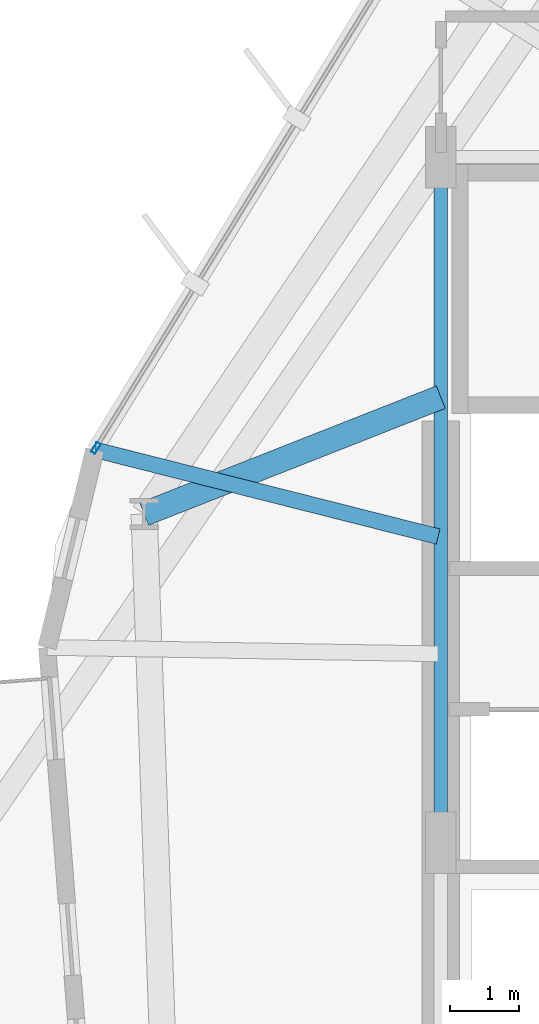
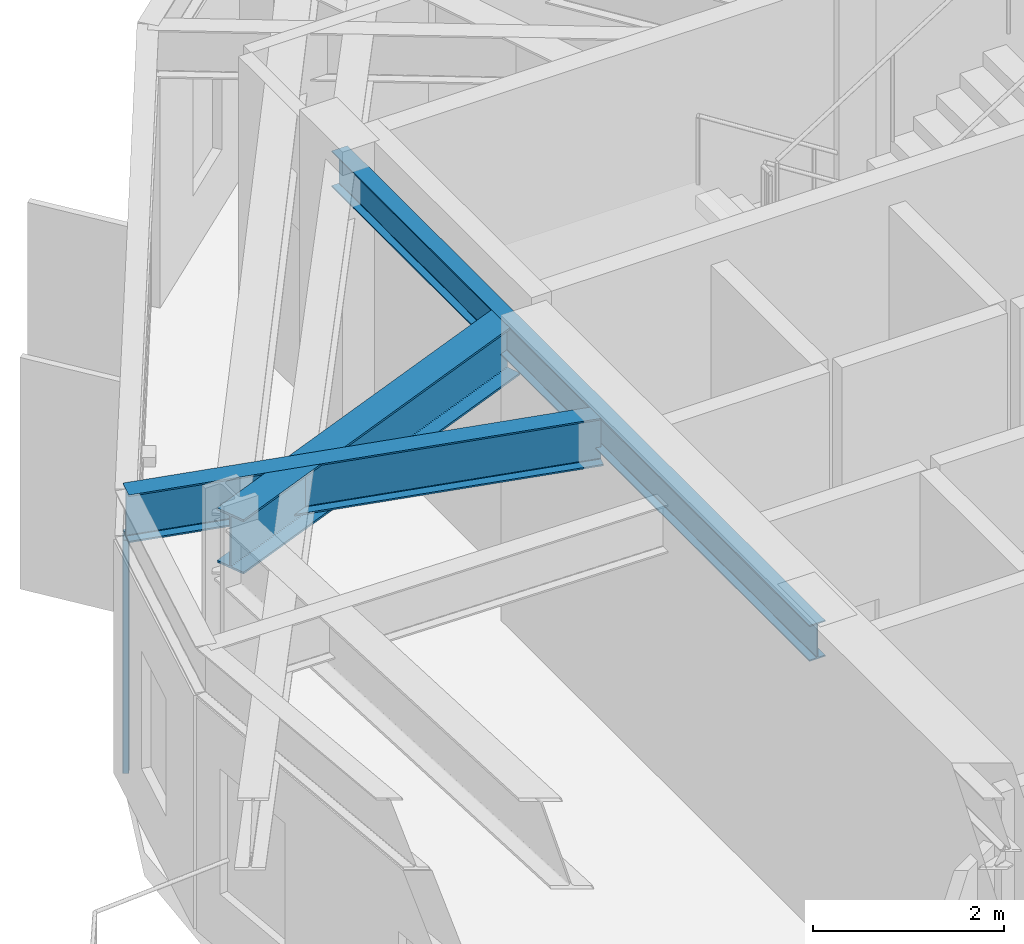
# One storey, part 7 of 21: 3 beams, 1 member, 1 element without a shape of its own.
"""IFC4 building model written with IfcOpenShell, lengths in metres."""

from ifc_helpers import new_model, si_unit, direction, frame, origin, origin_2d, place, context, subcontext, project, spatial, hollow_rectangle, i_section, extrude, material, layer, layer_set, material_profile, profile_set, type_object, element, aggregate, save


model = new_model("IFC4")

# Units and contexts
model_context = context("Model", 3, precision=1e-05, world=origin(), true_north=direction((0.0, 1.0)))
body_context = subcontext(model_context, "Body", "Model", "MODEL_VIEW")
ifc_project = project(units=[si_unit("LENGTHUNIT", "METRE"), si_unit("AREAUNIT", "SQUARE_METRE"), si_unit("VOLUMEUNIT", "CUBIC_METRE"), si_unit("PLANEANGLEUNIT", "RADIAN"), si_unit("MASSUNIT", "GRAM", prefix="KILO")], contexts=[model_context])

# Site, building, storey
site_placement = place(None, origin())
site = spatial("IfcSite", under=ifc_project, at=site_placement, CompositionType="ELEMENT")
building_placement = place(site_placement, origin())
building = spatial("IfcBuilding", under=site, at=building_placement, Name="Soratama Intermodal Tower", CompositionType="ELEMENT")
storey_placement = place(building_placement, frame((0.0, 0.0, 114.699951171875)))
storey = spatial("IfcBuildingStorey", under=building, at=storey_placement, Name="L27", CompositionType="ELEMENT", Elevation=114.699951171875)

# Beams
ifc_material_1 = material(Name="Structural steel ASTM A992 Grade 50", Category="steel")
ifc_material_profile_1 = material_profile(ifc_material_1, i_section(OverallWidth=0.19091796875, OverallDepth=0.4599609375, WebThickness=0.010009765625, FlangeThickness=0.01611328125, FilletRadius=0.010986328125, at=origin_2d()), Name="W18X55")
ifc_profile_set_1 = profile_set([ifc_material_profile_1], Name="Structural steel ASTM A992 Grade 50")
beam_type_1 = type_object("IfcBeamType", Name="BM-FLR-W18X55", PredefinedType="BEAM", material=ifc_profile_set_1)
beam_1_placement = place(storey_placement, frame((32.60009765625, 35.0, 3.3701171875), z_axis=(0.0, -1.0, 0.0), x_axis=(1.0, 0.0, 0.0)))
element("IfcBeam", 1, at=beam_1_placement, inside=storey, type_object=beam_type_1, Name="BM-L27-CRING-08", PredefinedType="BEAM", context=body_context, shape_type="SweptSolid", body=[
    extrude(i_section(OverallWidth=0.19091796875, OverallDepth=0.4599609375, WebThickness=0.010009765625, FlangeThickness=0.01611328125, FilletRadius=0.010986328125, at=origin_2d()), origin(), (0.0, 0.0, 1.0), 10.0),
])
ifc_material_2 = material(Name="Structural steel ASTM A992 Grade 50", Category="steel")
ifc_material_profile_2 = material_profile(ifc_material_2, i_section(OverallWidth=0.35498046875, OverallDepth=0.695068359375, WebThickness=0.015380859375, FlangeThickness=0.02490234375, FilletRadius=0.01611328125, at=origin_2d()), Name="W27X146")
ifc_profile_set_2 = profile_set([ifc_material_profile_2], Name="Structural steel ASTM A992 Grade 50")
beam_type_2 = type_object("IfcBeamType", Name="BM-RING-W27X146", PredefinedType="BEAM", material=ifc_profile_set_2)
beam_2_placement = place(storey_placement, frame((32.60009765625, 31.5, 3.25244140625), z_axis=(-0.930419244357, -0.366496970971, 0.0), x_axis=(0.366496970971, -0.930419244357, 0.0)))
element("IfcBeam", 2, at=beam_2_placement, inside=storey, type_object=beam_type_2, Name="BM-L27-RAD-05", PredefinedType="BEAM", context=body_context, shape_type="SweptSolid", body=[
    extrude(i_section(OverallWidth=0.35498046875, OverallDepth=0.695068359375, WebThickness=0.015380859375, FlangeThickness=0.02490234375, FilletRadius=0.01611328125, at=origin_2d()), origin(), (0.0, 0.0, 1.0), 4.649658203125),
])
ifc_material_3 = material(Name="Structural steel ASTM A992 Grade 50", Category="steel")
ifc_material_profile_3 = material_profile(ifc_material_3, i_section(OverallWidth=0.22900390625, OverallDepth=0.612060546875, WebThickness=0.011962890625, FlangeThickness=0.01953125, FilletRadius=0.012939453125, at=origin_2d()), Name="W24X84")
ifc_profile_set_3 = profile_set([ifc_material_profile_3], Name="Structural steel ASTM A992 Grade 50")
beam_type_3 = type_object("IfcBeamType", Name="BM-TIE-W24X84", PredefinedType="BEAM", material=ifc_profile_set_3)
beam_3_placement = place(storey_placement, frame((32.56103515625, 29.467041015625, 3.2939453125), z_axis=(-0.969496757796, 0.245104134242, 0.0), x_axis=(-0.245104134242, -0.969496757796, 0.0)))
element("IfcBeam", 3, at=beam_3_placement, inside=storey, type_object=beam_type_3, Name="BM-L27-TIE1-04", PredefinedType="BEAM", context=body_context, shape_type="SweptSolid", body=[
    extrude(i_section(OverallWidth=0.22900390625, OverallDepth=0.612060546875, WebThickness=0.011962890625, FlangeThickness=0.01953125, FilletRadius=0.012939453125, at=origin_2d()), origin(), (0.0, 0.0, 1.0), 5.16455078125),
])

# Curtain wall, member
ifc_material_4 = material(Name="Double-glazed aluminium curtain wall", Category="aluminium")
ifc_layer = layer(ifc_material_4, 0.159912109375)
ifc_layer_set = layer_set([ifc_layer], Name="Double-glazed aluminium curtain wall")
curtain_wall_type = type_object("IfcCurtainWallType", Name="CW-SYS-3", PredefinedType="NOTDEFINED", material=ifc_layer_set)
curtain_wall_placement = place(storey_placement, origin())
curtain_wall = element("IfcCurtainWall", 4, at=curtain_wall_placement, inside=storey, type_object=curtain_wall_type, Name="L27 Faceted Curtain Wall F04", PredefinedType="NOTDEFINED")
ifc_material_5 = material(Name="Anodised aluminium AA 6063-T6", Category="aluminium")
ifc_material_profile_4 = material_profile(ifc_material_5, hollow_rectangle(XDim=0.070068359375, YDim=0.159912109375, WallThickness=0.0048828125, InnerFilletRadius=0.0048828125, OuterFilletRadius=0.010009765625, at=origin_2d()), Name="CWM160X70X5")
ifc_profile_set_4 = profile_set([ifc_material_profile_4], Name="Anodised aluminium AA 6063-T6")
member_type = type_object("IfcMemberType", Name="MT-CWM-3", PredefinedType="MULLION", material=ifc_profile_set_4)
member_placement = place(storey_placement, frame((27.570068359375, 30.759033203125, 0.0), z_axis=(0.0, 0.0, 1.0), x_axis=(0.852089492692, -0.523396118102, 0.0)))
member = element("IfcMember", 5, at=member_placement, type_object=member_type, Name="CW-3 mullion 2", PredefinedType="MULLION", context=body_context, shape_type="SweptSolid", body=[
    extrude(hollow_rectangle(XDim=0.070068359375, YDim=0.159912109375, WallThickness=0.0048828125, InnerFilletRadius=0.0048828125, OuterFilletRadius=0.010009765625, at=origin_2d()), origin(), (0.0, 0.0, 1.0), 2.97900390625),
])
aggregate(curtain_wall, [member])

save(model, "model.ifc")
